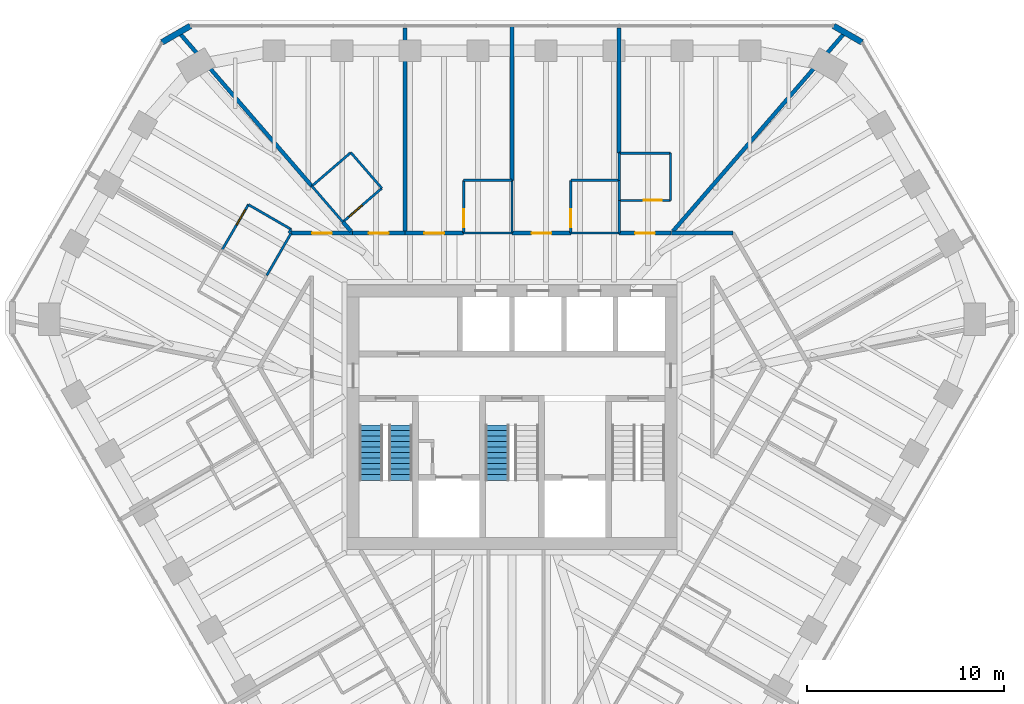
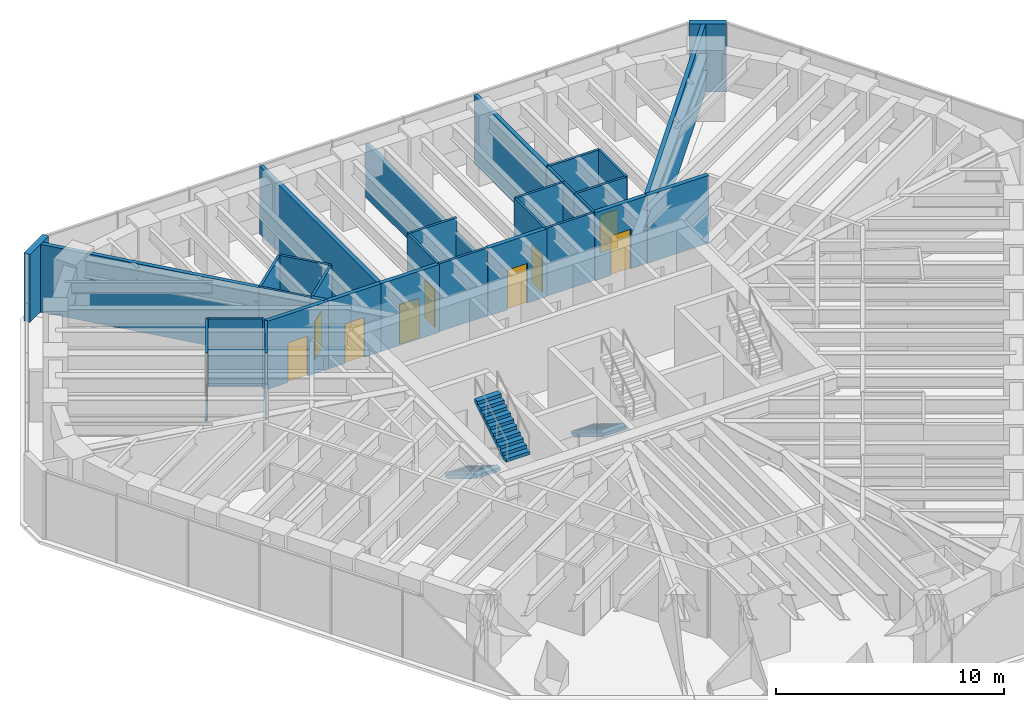
# One storey, part 12 of 14: 35 walls, 10 doors, 3 stair flights, 10 openings, 2 elements without a shape of their own.
"""IFC4 building model written with IfcOpenShell, lengths in metres."""

from ifc_helpers import new_model, si_unit, direction, frame, frame_2d, origin, place, context, subcontext, project, spatial, polyline, rectangle, outline, extrude, material, layer, layer_set, type_object, element, fill, aggregate, save


model = new_model("IFC4")

# Units and contexts
model_context = context("Model", 3, precision=1e-05, world=origin(), true_north=direction((0.0, 1.0)))
body_context = subcontext(model_context, "Body", "Model", "MODEL_VIEW")
ifc_project = project(units=[si_unit("LENGTHUNIT", "METRE"), si_unit("AREAUNIT", "SQUARE_METRE"), si_unit("VOLUMEUNIT", "CUBIC_METRE"), si_unit("PLANEANGLEUNIT", "RADIAN"), si_unit("MASSUNIT", "GRAM", prefix="KILO")], contexts=[model_context])

# Site, building, storey
site_placement = place(None, origin())
site = spatial("IfcSite", under=ifc_project, at=site_placement, CompositionType="ELEMENT")
building_placement = place(site_placement, origin())
building = spatial("IfcBuilding", under=site, at=building_placement, Name="Sandreach Pilgrim Tower", CompositionType="ELEMENT")
storey_placement = place(building_placement, frame((0.0, 0.0, 295.0)))
storey = spatial("IfcBuildingStorey", under=building, at=storey_placement, Name="L74", CompositionType="ELEMENT", Elevation=295.0)

# Wall, opening, door
ifc_material_1 = material(Name="Moisture-resistant gypsum board on steel studs", Category="steel")
ifc_layer_1 = layer(ifc_material_1, 0.1201171875)
ifc_layer_set_1 = layer_set([ifc_layer_1], Name="Bathroom partition 120")
wall_type_1 = type_object("IfcWallType", Name="Bathroom partition 120", PredefinedType="PARTITIONING", material=ifc_layer_set_1)
wall_1_placement = place(storey_placement, frame((-13.360107421875, 10.77001953125, 0.0), z_axis=(0.0, 0.0, 1.0), x_axis=(-0.502173326652, -0.864766991738, 0.0)))
wall_1 = element("IfcWall", 1, at=wall_1_placement, inside=storey, type_object=wall_type_1, Name="Bathroom partition L74-019", PredefinedType="PARTITIONING", context=body_context, shape_type="SweptSolid", body=[
    extrude(rectangle(XDim=2.648193359375, YDim=0.1201171875, at=frame_2d((1.32421875, 0.0))), origin(), (0.0, 0.0, 1.0), 3.639892578125),
])
opening_1_placement = place(wall_1_placement, frame((0.300048828125, 0.0, 0.0)))
opening_1 = element("IfcOpeningElement", 2, at=opening_1_placement, cuts=wall_1, Name="Opening D09-17B", PredefinedType="OPENING", context=body_context, shape_type="SweptSolid", body=[
    extrude(rectangle(XDim=0.89990234375, YDim=2.030029296875, at=frame_2d((0.449951171875, 1.01513671875))), frame((0.0, 0.06005859375, 0.0), z_axis=(0.0, -1.0, 0.0), x_axis=(1.0, 0.0, 0.0)), (0.0, 0.0, 1.0), 0.1201171875),
])
ifc_material_2 = material(Name="Timber door, steel frame", Category="steel")
door_type_1 = type_object("IfcDoorType", Name="Bathroom door", OperationType="SINGLE_SWING_LEFT", PredefinedType="DOOR", material=ifc_material_2)
door_1_placement = place(opening_1_placement, origin())
door_1 = element("IfcDoor", 3, at=door_1_placement, inside=storey, type_object=door_type_1, Name="Door 7417B", OperationType="SINGLE_SWING_LEFT", OverallHeight=2.030029296875, OverallWidth=0.89990234375, PredefinedType="DOOR", context=body_context, shape_type="SweptSolid", body=[
    extrude(rectangle(XDim=0.89990234375, YDim=2.030029296875, at=frame_2d((0.449951171875, 1.01513671875))), frame((0.0, 0.02490234375, 0.0), z_axis=(0.0, -1.0, 0.0), x_axis=(1.0, 0.0, 0.0)), (0.0, 0.0, 1.0), 0.050048828125),
])
fill(opening_1, door_1)

# Walls
wall_2_placement = place(storey_placement, frame((-12.429931640625, 7.179931640625, 0.0), z_axis=(0.0, 0.0, 1.0), x_axis=(0.499577688184, 0.866269088372, 0.0)))
element("IfcWall", 4, at=wall_2_placement, inside=storey, type_object=wall_type_1, Name="Bathroom partition L74-024", PredefinedType="PARTITIONING", context=body_context, shape_type="SweptSolid", body=[
    extrude(rectangle(XDim=2.482177734375, YDim=0.1201171875, at=frame_2d((1.2412109375, 0.0))), origin(), (0.0, 0.0, 1.0), 3.639892578125),
])
wall_3_placement = place(storey_placement, frame((-11.31005859375, 9.330078125, 0.0), z_axis=(0.0, 0.0, 1.0), x_axis=(0.501518373175, 0.865146994081, 0.0)))
element("IfcWall", 5, at=wall_3_placement, inside=storey, type_object=wall_type_1, Name="Bathroom partition L74-026", PredefinedType="PARTITIONING", context=body_context, shape_type="SweptSolid", body=[
    extrude(rectangle(XDim=0.219482421875, YDim=0.1201171875, at=frame_2d((0.10986328125, 0.0))), origin(), (0.0, 0.0, 1.0), 3.639892578125),
])
wall_4_placement = place(storey_placement, frame((-11.199951171875, 9.52001953125, 0.0), z_axis=(0.0, 0.0, 1.0), x_axis=(-0.865533423938, 0.500851167559, 0.0)))
element("IfcWall", 6, at=wall_4_placement, inside=storey, type_object=wall_type_1, Name="Bathroom partition L74-027", PredefinedType="PARTITIONING", context=body_context, shape_type="SweptSolid", body=[
    extrude(rectangle(XDim=2.495849609375, YDim=0.1201171875, at=frame_2d((1.248046875, 0.0))), origin(), (0.0, 0.0, 1.0), 3.639892578125),
])
wall_5_placement = place(storey_placement, frame((-10.142822265625, 11.70751953125, 0.0), z_axis=(0.0, 0.0, 1.0), x_axis=(0.65433095071, -0.756208309226, 0.0)))
element("IfcWall", 7, at=wall_5_placement, inside=storey, type_object=wall_type_1, Name="Bathroom partition L74-030", PredefinedType="PARTITIONING", context=body_context, shape_type="SweptSolid", body=[
    extrude(rectangle(XDim=2.403564453125, YDim=0.1201171875, at=frame_2d((1.20166015625, 0.0))), origin(), (0.0, 0.0, 1.0), 3.639892578125),
])

# Wall, opening, door
wall_6_placement = place(storey_placement, frame((-8.570068359375, 9.889892578125, 0.0), z_axis=(0.0, 0.0, 1.0), x_axis=(0.755185511235, 0.655511131576, 0.0)))
wall_6 = element("IfcWall", 8, at=wall_6_placement, inside=storey, type_object=wall_type_1, Name="Bathroom partition L74-035", PredefinedType="PARTITIONING", context=body_context, shape_type="SweptSolid", body=[
    extrude(rectangle(XDim=2.608642578125, YDim=0.1201171875, at=frame_2d((1.30419921875, 0.0))), origin(), (0.0, 0.0, 1.0), 3.639892578125),
])
opening_2_placement = place(wall_6_placement, frame((0.39990234375, 0.0, 0.0)))
opening_2 = element("IfcOpeningElement", 9, at=opening_2_placement, cuts=wall_6, Name="Opening D09-01B", PredefinedType="OPENING", context=body_context, shape_type="SweptSolid", body=[
    extrude(rectangle(XDim=0.89990234375, YDim=2.030029296875, at=frame_2d((0.449951171875, 1.01513671875))), frame((0.0, 0.06005859375, 0.0), z_axis=(0.0, -1.0, 0.0), x_axis=(1.0, 0.0, 0.0)), (0.0, 0.0, 1.0), 0.1201171875),
])
door_2_placement = place(opening_2_placement, origin())
door_2 = element("IfcDoor", 10, at=door_2_placement, inside=storey, type_object=door_type_1, Name="Door 7401B", OperationType="SINGLE_SWING_LEFT", OverallHeight=2.030029296875, OverallWidth=0.89990234375, PredefinedType="DOOR", context=body_context, shape_type="SweptSolid", body=[
    extrude(rectangle(XDim=0.89990234375, YDim=2.030029296875, at=frame_2d((0.449951171875, 1.01513671875))), frame((0.0, 0.02490234375, 0.0), z_axis=(0.0, -1.0, 0.0), x_axis=(1.0, 0.0, 0.0)), (0.0, 0.0, 1.0), 0.050048828125),
])
fill(opening_2, door_2)

# Walls
wall_7_placement = place(storey_placement, frame((-8.169921875, 13.409912109375, 0.0), z_axis=(0.0, 0.0, 1.0), x_axis=(-0.757086659925, -0.653314464377, 0.0)))
element("IfcWall", 11, at=wall_7_placement, inside=storey, type_object=wall_type_1, Name="Bathroom partition L74-037", PredefinedType="PARTITIONING", context=body_context, shape_type="SweptSolid", body=[
    extrude(rectangle(XDim=2.60205078125, YDim=0.1201171875, at=frame_2d((1.301025390625, 0.0))), origin(), (0.0, 0.0, 1.0), 3.639892578125),
])
wall_8_placement = place(storey_placement, frame((-6.60009765625, 11.60009765625, 0.0), z_axis=(0.0, 0.0, 1.0), x_axis=(-0.655244729861, 0.755416669123, 0.0)))
element("IfcWall", 12, at=wall_8_placement, inside=storey, type_object=wall_type_1, Name="Bathroom partition L74-040", PredefinedType="PARTITIONING", context=body_context, shape_type="SweptSolid", body=[
    extrude(rectangle(XDim=2.395751953125, YDim=0.1201171875, at=frame_2d((1.19775390625, 0.0))), origin(), (0.0, 0.0, 1.0), 3.639892578125),
])

# Wall, opening, door
wall_9_placement = place(storey_placement, frame((-2.449951171875, 12.0, 0.0), z_axis=(0.0, 0.0, 1.0), x_axis=(0.0, -1.0, 0.0)))
wall_9 = element("IfcWall", 13, at=wall_9_placement, inside=storey, type_object=wall_type_1, Name="Bathroom partition L74-059", PredefinedType="PARTITIONING", context=body_context, shape_type="SweptSolid", body=[
    extrude(rectangle(XDim=2.669921875, YDim=0.1201171875, at=frame_2d((1.3349609375, 0.0))), origin(), (0.0, 0.0, 1.0), 3.639892578125),
])
opening_3_placement = place(wall_9_placement, frame((1.469970703125, 0.0, 0.0)))
opening_3 = element("IfcOpeningElement", 14, at=opening_3_placement, cuts=wall_9, Name="Opening D09-02B", PredefinedType="OPENING", context=body_context, shape_type="SweptSolid", body=[
    extrude(rectangle(XDim=0.89990234375, YDim=2.030029296875, at=frame_2d((0.449951171875, 1.01513671875))), frame((0.0, 0.06005859375, 0.0), z_axis=(0.0, -1.0, 0.0), x_axis=(1.0, 0.0, 0.0)), (0.0, 0.0, 1.0), 0.1201171875),
])
door_3_placement = place(opening_3_placement, origin())
door_3 = element("IfcDoor", 15, at=door_3_placement, inside=storey, type_object=door_type_1, Name="Door 7402B", OperationType="SINGLE_SWING_RIGHT", OverallHeight=2.030029296875, OverallWidth=0.89990234375, PredefinedType="DOOR", context=body_context, shape_type="SweptSolid", body=[
    extrude(rectangle(XDim=0.89990234375, YDim=2.030029296875, at=frame_2d((0.449951171875, 1.01513671875))), frame((0.0, 0.02490234375, 0.0), z_axis=(0.0, -1.0, 0.0), x_axis=(1.0, 0.0, 0.0)), (0.0, 0.0, 1.0), 0.050048828125),
])
fill(opening_3, door_3)

# Walls
for number, where, z_axis, x_axis, name in (
    (16, (0.0, 9.330078125, 0.0), (0.0, 0.0, 1.0), (-1.0, 0.0, 0.0), "Bathroom partition L74-064"),
    (17, (0.0, 12.0, 0.0), (0.0, 0.0, 1.0), (-1.0, 0.0, 0.0), "Bathroom partition L74-065"),
):
    element("IfcWall", number, at=place(storey_placement, frame(where, z_axis=z_axis, x_axis=x_axis)), inside=storey, type_object=wall_type_1, Name=name, PredefinedType="PARTITIONING", context=body_context, shape_type="SweptSolid", body=[
        extrude(rectangle(XDim=2.449951171875, YDim=0.1201171875, at=frame_2d((1.22509765625, 0.0))), origin(), (0.0, 0.0, 1.0), 3.639892578125),
    ])
wall_10_placement = place(storey_placement, frame((0.0, 12.0, 0.0), z_axis=(0.0, 0.0, 1.0), x_axis=(0.0, -1.0, 0.0)))
element("IfcWall", 18, at=wall_10_placement, inside=storey, type_object=wall_type_1, Name="Bathroom partition L74-066", PredefinedType="PARTITIONING", context=body_context, shape_type="SweptSolid", body=[
    extrude(rectangle(XDim=2.669921875, YDim=0.1201171875, at=frame_2d((1.3349609375, 0.0))), origin(), (0.0, 0.0, 1.0), 2.860107421875),
])

# Wall, opening, door
wall_11_placement = place(storey_placement, frame((2.97998046875, 12.0, 0.0), z_axis=(0.0, 0.0, 1.0), x_axis=(0.0, -1.0, 0.0)))
wall_11 = element("IfcWall", 19, at=wall_11_placement, inside=storey, type_object=wall_type_1, Name="Bathroom partition L74-072", PredefinedType="PARTITIONING", context=body_context, shape_type="SweptSolid", body=[
    extrude(rectangle(XDim=2.669921875, YDim=0.1201171875, at=frame_2d((1.3349609375, 0.0))), origin(), (0.0, 0.0, 1.0), 3.639892578125),
])
opening_4_placement = place(wall_11_placement, frame((1.469970703125, 0.0, 0.0)))
opening_4 = element("IfcOpeningElement", 20, at=opening_4_placement, cuts=wall_11, Name="Opening D09-03B", PredefinedType="OPENING", context=body_context, shape_type="SweptSolid", body=[
    extrude(rectangle(XDim=0.89990234375, YDim=2.030029296875, at=frame_2d((0.449951171875, 1.01513671875))), frame((0.0, 0.06005859375, 0.0), z_axis=(0.0, -1.0, 0.0), x_axis=(1.0, 0.0, 0.0)), (0.0, 0.0, 1.0), 0.1201171875),
])
door_4_placement = place(opening_4_placement, origin())
door_4 = element("IfcDoor", 21, at=door_4_placement, inside=storey, type_object=door_type_1, Name="Door 7403B", OperationType="SINGLE_SWING_RIGHT", OverallHeight=2.030029296875, OverallWidth=0.89990234375, PredefinedType="DOOR", context=body_context, shape_type="SweptSolid", body=[
    extrude(rectangle(XDim=0.89990234375, YDim=2.030029296875, at=frame_2d((0.449951171875, 1.01513671875))), frame((0.0, 0.02490234375, 0.0), z_axis=(0.0, -1.0, 0.0), x_axis=(1.0, 0.0, 0.0)), (0.0, 0.0, 1.0), 0.050048828125),
])
fill(opening_4, door_4)

# Walls
wall_12_placement = place(storey_placement, frame((5.429931640625, 9.330078125, 0.0), z_axis=(0.0, 0.0, 1.0), x_axis=(-1.0, 0.0, 0.0)))
element("IfcWall", 22, at=wall_12_placement, inside=storey, type_object=wall_type_1, Name="Bathroom partition L74-081", PredefinedType="PARTITIONING", context=body_context, shape_type="SweptSolid", body=[
    extrude(rectangle(XDim=2.449951171875, YDim=0.1201171875, at=frame_2d((1.22509765625, 0.0))), origin(), (0.0, 0.0, 1.0), 3.639892578125),
])
wall_13_placement = place(storey_placement, frame((5.429931640625, 10.97998046875, 0.0), z_axis=(0.0, 0.0, 1.0), x_axis=(0.0, -1.0, 0.0)))
element("IfcWall", 23, at=wall_13_placement, inside=storey, type_object=wall_type_1, Name="Bathroom partition L74-082", PredefinedType="PARTITIONING", context=body_context, shape_type="SweptSolid", body=[
    extrude(rectangle(XDim=1.64990234375, YDim=0.1201171875, at=frame_2d((0.824951171875, 0.0))), origin(), (0.0, 0.0, 1.0), 3.639892578125),
])

# Wall, opening, door
wall_14_placement = place(storey_placement, frame((5.429931640625, 10.97998046875, 0.0), z_axis=(0.0, 0.0, 1.0), x_axis=(1.0, 0.0, 0.0)))
wall_14 = element("IfcWall", 24, at=wall_14_placement, inside=storey, type_object=wall_type_1, Name="Bathroom partition L74-083", PredefinedType="PARTITIONING", context=body_context, shape_type="SweptSolid", body=[
    extrude(rectangle(XDim=2.60009765625, YDim=0.1201171875, at=frame_2d((1.300048828125, 0.0))), origin(), (0.0, 0.0, 1.0), 3.639892578125),
])
opening_5_placement = place(wall_14_placement, frame((1.25, 0.0, 0.0)))
opening_5 = element("IfcOpeningElement", 25, at=opening_5_placement, cuts=wall_14, Name="Opening D09-04B", PredefinedType="OPENING", context=body_context, shape_type="SweptSolid", body=[
    extrude(rectangle(XDim=0.89990234375, YDim=2.030029296875, at=frame_2d((0.449951171875, 1.01513671875))), frame((0.0, 0.06005859375, 0.0), z_axis=(0.0, -1.0, 0.0), x_axis=(1.0, 0.0, 0.0)), (0.0, 0.0, 1.0), 0.1201171875),
])
door_5_placement = place(opening_5_placement, origin())
door_5 = element("IfcDoor", 26, at=door_5_placement, inside=storey, type_object=door_type_1, Name="Door 7404B", OperationType="SINGLE_SWING_RIGHT", OverallHeight=2.030029296875, OverallWidth=0.89990234375, PredefinedType="DOOR", context=body_context, shape_type="SweptSolid", body=[
    extrude(rectangle(XDim=0.89990234375, YDim=2.030029296875, at=frame_2d((0.449951171875, 1.01513671875))), frame((0.0, 0.02490234375, 0.0), z_axis=(0.0, -1.0, 0.0), x_axis=(1.0, 0.0, 0.0)), (0.0, 0.0, 1.0), 0.050048828125),
])
fill(opening_5, door_5)

# Walls
wall_15_placement = place(storey_placement, frame((5.429931640625, 12.0, 0.0), z_axis=(0.0, 0.0, 1.0), x_axis=(-1.0, 0.0, 0.0)))
element("IfcWall", 27, at=wall_15_placement, inside=storey, type_object=wall_type_1, Name="Bathroom partition L74-084", PredefinedType="PARTITIONING", context=body_context, shape_type="SweptSolid", body=[
    extrude(rectangle(XDim=2.449951171875, YDim=0.1201171875, at=frame_2d((1.22509765625, 0.0))), origin(), (0.0, 0.0, 1.0), 3.639892578125),
])
wall_16_placement = place(storey_placement, frame((5.429931640625, 12.0, 0.0), z_axis=(0.0, 0.0, 1.0), x_axis=(0.0, -1.0, 0.0)))
element("IfcWall", 28, at=wall_16_placement, inside=storey, type_object=wall_type_1, Name="Bathroom partition L74-085", PredefinedType="PARTITIONING", context=body_context, shape_type="SweptSolid", body=[
    extrude(rectangle(XDim=1.02001953125, YDim=0.1201171875, at=frame_2d((0.510009765625, 0.0))), origin(), (0.0, 0.0, 1.0), 3.639892578125),
])
wall_17_placement = place(storey_placement, frame((5.429931640625, 13.3798828125, 0.0), z_axis=(0.0, 0.0, 1.0), x_axis=(0.0, -1.0, 0.0)))
element("IfcWall", 29, at=wall_17_placement, inside=storey, type_object=wall_type_1, Name="Bathroom partition L74-086", PredefinedType="PARTITIONING", context=body_context, shape_type="SweptSolid", body=[
    extrude(rectangle(XDim=1.3798828125, YDim=0.1201171875, at=frame_2d((0.68994140625, 0.0))), origin(), (0.0, 0.0, 1.0), 3.639892578125),
])
wall_18_placement = place(storey_placement, frame((8.030029296875, 10.97998046875, 0.0), z_axis=(0.0, 0.0, 1.0), x_axis=(0.0, 1.0, 0.0)))
element("IfcWall", 30, at=wall_18_placement, inside=storey, type_object=wall_type_1, Name="Bathroom partition L74-095", PredefinedType="PARTITIONING", context=body_context, shape_type="SweptSolid", body=[
    extrude(rectangle(XDim=2.39990234375, YDim=0.1201171875, at=frame_2d((1.199951171875, 0.0))), origin(), (0.0, 0.0, 1.0), 3.639892578125),
])
wall_19_placement = place(storey_placement, frame((8.030029296875, 13.3798828125, 0.0), z_axis=(0.0, 0.0, 1.0), x_axis=(-1.0, 0.0, 0.0)))
element("IfcWall", 31, at=wall_19_placement, inside=storey, type_object=wall_type_1, Name="Bathroom partition L74-096", PredefinedType="PARTITIONING", context=body_context, shape_type="SweptSolid", body=[
    extrude(rectangle(XDim=2.60009765625, YDim=0.1201171875, at=frame_2d((1.300048828125, 0.0))), origin(), (0.0, 0.0, 1.0), 3.639892578125),
])

# Wall, opening, door
ifc_material_3 = material(Name="Gypsum board on steel studs, two layers each side", Category="steel")
ifc_layer_2 = layer(ifc_material_3, 0.199951171875)
ifc_layer_set_2 = layer_set([ifc_layer_2], Name="Corridor wall 200")
wall_type_2 = type_object("IfcWallType", Name="Corridor wall 200", PredefinedType="PARTITIONING", material=ifc_layer_set_2)
wall_20_placement = place(storey_placement, frame((-8.080078125, 9.330078125, 0.0), z_axis=(0.0, 0.0, 1.0), x_axis=(-1.0, 0.0, 0.0)))
wall_20 = element("IfcWall", 32, at=wall_20_placement, inside=storey, type_object=wall_type_2, Name="Corridor wall L74-038", PredefinedType="PARTITIONING", context=body_context, shape_type="SweptSolid", body=[
    extrude(rectangle(XDim=3.10986328125, YDim=0.199951171875, at=frame_2d((1.554931640625, 0.0))), origin(), (0.0, 0.0, 1.0), 3.639892578125),
])
opening_6_placement = place(wall_20_placement, frame((1.054931640625, 0.0, 0.0)))
opening_6 = element("IfcOpeningElement", 33, at=opening_6_placement, cuts=wall_20, Name="Opening D10-17", PredefinedType="OPENING", context=body_context, shape_type="SweptSolid", body=[
    extrude(rectangle(XDim=1.0, YDim=2.1298828125, at=frame_2d((0.5, 1.06494140625))), frame((0.0, 0.10009765625, 0.0), z_axis=(0.0, -1.0, 0.0), x_axis=(1.0, 0.0, 0.0)), (0.0, 0.0, 1.0), 0.199951171875),
])
ifc_material_4 = material(Name="Steel door and frame", Category="steel")
door_type_2 = type_object("IfcDoorType", Name="Guest room entry door", OperationType="SINGLE_SWING_LEFT", PredefinedType="DOOR", material=ifc_material_4)
door_6_placement = place(opening_6_placement, origin())
door_6 = element("IfcDoor", 34, at=door_6_placement, inside=storey, type_object=door_type_2, Name="Door 7417", OperationType="SINGLE_SWING_LEFT", OverallHeight=2.1298828125, OverallWidth=1.0, PredefinedType="DOOR", context=body_context, shape_type="SweptSolid", body=[
    extrude(rectangle(XDim=1.0, YDim=2.1298828125, at=frame_2d((0.5, 1.06494140625))), frame((0.0, 0.02490234375, 0.0), z_axis=(0.0, -1.0, 0.0), x_axis=(1.0, 0.0, 0.0)), (0.0, 0.0, 1.0), 0.050048828125),
])
fill(opening_6, door_6)

wall_21_placement = place(storey_placement, frame((-5.429931640625, 9.330078125, 0.0), z_axis=(0.0, 0.0, 1.0), x_axis=(-1.0, 0.0, 0.0)))
wall_21 = element("IfcWall", 35, at=wall_21_placement, inside=storey, type_object=wall_type_2, Name="Corridor wall L74-044", PredefinedType="PARTITIONING", context=body_context, shape_type="SweptSolid", body=[
    extrude(rectangle(XDim=2.650146484375, YDim=0.199951171875, at=frame_2d((1.3251953125, 0.0))), origin(), (0.0, 0.0, 1.0), 3.639892578125),
])
opening_7_placement = place(wall_21_placement, frame((0.824951171875, 0.0, 0.0)))
opening_7 = element("IfcOpeningElement", 36, at=opening_7_placement, cuts=wall_21, Name="Opening D10-01", PredefinedType="OPENING", context=body_context, shape_type="SweptSolid", body=[
    extrude(rectangle(XDim=1.0, YDim=2.1298828125, at=frame_2d((0.5, 1.06494140625))), frame((0.0, 0.10009765625, 0.0), z_axis=(0.0, -1.0, 0.0), x_axis=(1.0, 0.0, 0.0)), (0.0, 0.0, 1.0), 0.199951171875),
])
door_7_placement = place(opening_7_placement, origin())
door_7 = element("IfcDoor", 37, at=door_7_placement, inside=storey, type_object=door_type_2, Name="Door 7401", OperationType="SINGLE_SWING_LEFT", OverallHeight=2.1298828125, OverallWidth=1.0, PredefinedType="DOOR", context=body_context, shape_type="SweptSolid", body=[
    extrude(rectangle(XDim=1.0, YDim=2.1298828125, at=frame_2d((0.5, 1.06494140625))), frame((0.0, 0.02490234375, 0.0), z_axis=(0.0, -1.0, 0.0), x_axis=(1.0, 0.0, 0.0)), (0.0, 0.0, 1.0), 0.050048828125),
])
fill(opening_7, door_7)

wall_22_placement = place(storey_placement, frame((-5.429931640625, 9.330078125, 0.0), z_axis=(0.0, 0.0, 1.0), x_axis=(1.0, 0.0, 0.0)))
wall_22 = element("IfcWall", 38, at=wall_22_placement, inside=storey, type_object=wall_type_2, Name="Corridor wall L74-045", PredefinedType="PARTITIONING", context=body_context, shape_type="SweptSolid", body=[
    extrude(rectangle(XDim=2.97998046875, YDim=0.199951171875, at=frame_2d((1.489990234375, 0.0))), origin(), (0.0, 0.0, 1.0), 3.639892578125),
])
opening_8_placement = place(wall_22_placement, frame((0.989990234375, 0.0, 0.0)))
opening_8 = element("IfcOpeningElement", 39, at=opening_8_placement, cuts=wall_22, Name="Opening D10-02", PredefinedType="OPENING", context=body_context, shape_type="SweptSolid", body=[
    extrude(rectangle(XDim=1.0, YDim=2.1298828125, at=frame_2d((0.5, 1.06494140625))), frame((0.0, 0.10009765625, 0.0), z_axis=(0.0, -1.0, 0.0), x_axis=(1.0, 0.0, 0.0)), (0.0, 0.0, 1.0), 0.199951171875),
])
door_8_placement = place(opening_8_placement, origin())
door_8 = element("IfcDoor", 40, at=door_8_placement, inside=storey, type_object=door_type_2, Name="Door 7402", OperationType="SINGLE_SWING_LEFT", OverallHeight=2.1298828125, OverallWidth=1.0, PredefinedType="DOOR", context=body_context, shape_type="SweptSolid", body=[
    extrude(rectangle(XDim=1.0, YDim=2.1298828125, at=frame_2d((0.5, 1.06494140625))), frame((0.0, 0.02490234375, 0.0), z_axis=(0.0, -1.0, 0.0), x_axis=(1.0, 0.0, 0.0)), (0.0, 0.0, 1.0), 0.050048828125),
])
fill(opening_8, door_8)

wall_23_placement = place(storey_placement, frame((2.97998046875, 9.330078125, 0.0), z_axis=(0.0, 0.0, 1.0), x_axis=(-1.0, 0.0, 0.0)))
wall_23 = element("IfcWall", 41, at=wall_23_placement, inside=storey, type_object=wall_type_2, Name="Corridor wall L74-071", PredefinedType="PARTITIONING", context=body_context, shape_type="SweptSolid", body=[
    extrude(rectangle(XDim=2.97998046875, YDim=0.199951171875, at=frame_2d((1.489990234375, 0.0))), origin(), (0.0, 0.0, 1.0), 3.639892578125),
])
opening_9_placement = place(wall_23_placement, frame((0.989990234375, 0.0, 0.0)))
opening_9 = element("IfcOpeningElement", 42, at=opening_9_placement, cuts=wall_23, Name="Opening D10-03", PredefinedType="OPENING", context=body_context, shape_type="SweptSolid", body=[
    extrude(rectangle(XDim=1.0, YDim=2.1298828125, at=frame_2d((0.5, 1.06494140625))), frame((0.0, 0.10009765625, 0.0), z_axis=(0.0, -1.0, 0.0), x_axis=(1.0, 0.0, 0.0)), (0.0, 0.0, 1.0), 0.199951171875),
])
door_9_placement = place(opening_9_placement, origin())
door_9 = element("IfcDoor", 43, at=door_9_placement, inside=storey, type_object=door_type_2, Name="Door 7403", OperationType="SINGLE_SWING_LEFT", OverallHeight=2.1298828125, OverallWidth=1.0, PredefinedType="DOOR", context=body_context, shape_type="SweptSolid", body=[
    extrude(rectangle(XDim=1.0, YDim=2.1298828125, at=frame_2d((0.5, 1.06494140625))), frame((0.0, 0.02490234375, 0.0), z_axis=(0.0, -1.0, 0.0), x_axis=(1.0, 0.0, 0.0)), (0.0, 0.0, 1.0), 0.050048828125),
])
fill(opening_9, door_9)

wall_24_placement = place(storey_placement, frame((8.050048828125, 9.330078125, 0.0), z_axis=(0.0, 0.0, 1.0), x_axis=(-1.0, 0.0, 0.0)))
wall_24 = element("IfcWall", 44, at=wall_24_placement, inside=storey, type_object=wall_type_2, Name="Corridor wall L74-097", PredefinedType="PARTITIONING", context=body_context, shape_type="SweptSolid", body=[
    extrude(rectangle(XDim=2.6201171875, YDim=0.199951171875, at=frame_2d((1.31005859375, 0.0))), origin(), (0.0, 0.0, 1.0), 3.639892578125),
])
opening_10_placement = place(wall_24_placement, frame((0.81005859375, 0.0, 0.0)))
opening_10 = element("IfcOpeningElement", 45, at=opening_10_placement, cuts=wall_24, Name="Opening D10-04", PredefinedType="OPENING", context=body_context, shape_type="SweptSolid", body=[
    extrude(rectangle(XDim=1.0, YDim=2.1298828125, at=frame_2d((0.5, 1.06494140625))), frame((0.0, 0.10009765625, 0.0), z_axis=(0.0, -1.0, 0.0), x_axis=(1.0, 0.0, 0.0)), (0.0, 0.0, 1.0), 0.199951171875),
])
door_10_placement = place(opening_10_placement, origin())
door_10 = element("IfcDoor", 46, at=door_10_placement, inside=storey, type_object=door_type_2, Name="Door 7404", OperationType="SINGLE_SWING_LEFT", OverallHeight=2.1298828125, OverallWidth=1.0, PredefinedType="DOOR", context=body_context, shape_type="SweptSolid", body=[
    extrude(rectangle(XDim=1.0, YDim=2.1298828125, at=frame_2d((0.5, 1.06494140625))), frame((0.0, 0.02490234375, 0.0), z_axis=(0.0, -1.0, 0.0), x_axis=(1.0, 0.0, 0.0)), (0.0, 0.0, 1.0), 0.050048828125),
])
fill(opening_10, door_10)

# Walls
wall_25_placement = place(storey_placement, frame((11.18994140625, 9.330078125, 0.0), z_axis=(0.0, 0.0, 1.0), x_axis=(-1.0, 0.0, 0.0)))
element("IfcWall", 47, at=wall_25_placement, inside=storey, type_object=wall_type_2, Name="Corridor wall L74-105", PredefinedType="PARTITIONING", context=body_context, shape_type="SweptSolid", body=[
    extrude(rectangle(XDim=3.10986328125, YDim=0.199951171875, at=frame_2d((1.554931640625, 0.0))), origin(), (0.0, 0.0, 1.0), 3.639892578125),
])
ifc_material_5 = material(Name="Double steel stud acoustic wall, gypsum board", Category="steel")
ifc_layer_3 = layer(ifc_material_5, 0.199951171875)
ifc_layer_set_3 = layer_set([ifc_layer_3], Name="Party wall 200")
wall_type_3 = type_object("IfcWallType", Name="Party wall 200", PredefinedType="PARTITIONING", material=ifc_layer_set_3)
wall_26_placement = place(storey_placement, frame((-16.890380859375, 19.50732421875, 0.0), z_axis=(0.0, 0.0, 1.0), x_axis=(0.654250750888, -0.756277696989, 0.0)))
element("IfcWall", 48, at=wall_26_placement, inside=storey, type_object=wall_type_3, Name="Party wall L74-004", PredefinedType="PARTITIONING", context=body_context, shape_type="SweptSolid", body=[
    extrude(rectangle(XDim=10.3134765625, YDim=0.199951171875, at=frame_2d((5.15673828125, 0.0))), origin(), (0.0, 0.0, 1.0), 3.639892578125),
])
wall_27_placement = place(storey_placement, frame((-8.570068359375, 9.889892578125, 0.0), z_axis=(0.0, 0.0, 1.0), x_axis=(0.658587029901, -0.752504567459, 0.0)))
element("IfcWall", 49, at=wall_27_placement, inside=storey, type_object=wall_type_3, Name="Party wall L74-034", PredefinedType="PARTITIONING", context=body_context, shape_type="SweptSolid", body=[
    extrude(rectangle(XDim=0.629150390625, YDim=0.199951171875, at=frame_2d((0.314453125, 0.0))), origin(), (0.0, 0.0, 1.0), 3.639892578125),
])
wall_28_placement = place(storey_placement, frame((-5.429931640625, 19.7099609375, 0.0), z_axis=(0.0, 0.0, 1.0), x_axis=(0.0, -1.0, 0.0)))
element("IfcWall", 50, at=wall_28_placement, inside=storey, type_object=wall_type_3, Name="Party wall L74-046", PredefinedType="PARTITIONING", context=body_context, shape_type="SweptSolid", body=[
    extrude(rectangle(XDim=10.364990234375, YDim=0.199951171875, at=frame_2d((5.1826171875, 0.0))), origin(), (0.0, 0.0, 1.0), 3.639892578125),
])
wall_29_placement = place(storey_placement, frame((0.0, 19.800048828125, 0.0), z_axis=(0.0, 0.0, 1.0), x_axis=(0.0, -1.0, 0.0)))
element("IfcWall", 51, at=wall_29_placement, inside=storey, type_object=wall_type_3, Name="Party wall L74-067", PredefinedType="PARTITIONING", context=body_context, shape_type="SweptSolid", body=[
    extrude(rectangle(XDim=7.800048828125, YDim=0.199951171875, at=frame_2d((3.89990234375, 0.0))), origin(), (0.0, 0.0, 1.0), 2.860107421875),
])
wall_30_placement = place(storey_placement, frame((5.429931640625, 19.7099609375, 0.0), z_axis=(0.0, 0.0, 1.0), x_axis=(0.0, -1.0, 0.0)))
element("IfcWall", 52, at=wall_30_placement, inside=storey, type_object=wall_type_3, Name="Party wall L74-087", PredefinedType="PARTITIONING", context=body_context, shape_type="SweptSolid", body=[
    extrude(rectangle(XDim=6.330078125, YDim=0.199951171875, at=frame_2d((3.1650390625, 0.0))), origin(), (0.0, 0.0, 1.0), 3.639892578125),
])
wall_31_placement = place(storey_placement, frame((16.890380859375, 19.50732421875, 0.0), z_axis=(0.0, 0.0, 1.0), x_axis=(-0.654509091565, -0.756054131037, 0.0)))
element("IfcWall", 53, at=wall_31_placement, inside=storey, type_object=wall_type_3, Name="Party wall L74-118", PredefinedType="PARTITIONING", context=body_context, shape_type="SweptSolid", body=[
    extrude(rectangle(XDim=13.345947265625, YDim=0.199951171875, at=frame_2d((6.6728515625, 0.0))), origin(), (0.0, 0.0, 1.0), 3.639892578125),
])
ifc_material_6 = material(Name="Terracotta rainscreen on concrete", Category="masonry")
ifc_layer_4 = layer(ifc_material_6, 0.300048828125)
ifc_layer_set_4 = layer_set([ifc_layer_4], Name="Terracotta chamfer pier")
wall_type_4 = type_object("IfcWallType", Name="Terracotta chamfer pier", PredefinedType="SOLIDWALL", material=ifc_layer_set_4)
for number, where, z_axis, x_axis, name in (
    (54, (16.29833984375, 19.826416015625, 0.0), (0.0, 0.0, 1.0), (0.866026405774, -0.499998264499, 0.0), "Chamfer pier L74 N"),
    (55, (-17.736083984375, 18.996337890625, 0.0), (0.0, 0.0, 1.0), (0.866026405774, 0.499998264499, 0.0), "Chamfer pier L74 NW"),
):
    element("IfcWall", number, at=place(storey_placement, frame(where, z_axis=z_axis, x_axis=x_axis)), inside=storey, type_object=wall_type_4, Name=name, PredefinedType="SOLIDWALL", context=body_context, shape_type="SweptSolid", body=[
        extrude(rectangle(XDim=1.66015625, YDim=0.300048828125, at=frame_2d((0.830078125, 0.0))), origin(), (0.0, 0.0, 1.0), 3.639892578125),
    ])

# Stair, stair flights
ifc_material_7 = material(Name="Concrete 8000 psi", Category="concrete")
stair_type = type_object("IfcStairType", Name="Core exit stair", PredefinedType="HALF_TURN_STAIR", material=ifc_material_7)
stair_1_placement = place(storey_placement, origin())
stair_1 = element("IfcStair", 56, at=stair_1_placement, inside=storey, type_object=stair_type, Name="Exit stair ST1 L74", PredefinedType="HALF_TURN_STAIR")
ifc_material_8 = material(Name="Concrete 8000 psi", Category="concrete")
stair_flight_type = type_object("IfcStairFlightType", Name="Core stair flight 1200", PredefinedType="STRAIGHT", material=ifc_material_8)
stair_flight_1_placement = place(storey_placement, frame((-7.14990234375, -0.39990234375, 0.0), z_axis=(0.0, 0.0, 1.0), x_axis=(0.0, -1.0, 0.0)))
stair_flight_1 = element("IfcStairFlight", 57, at=stair_flight_1_placement, type_object=stair_flight_type, Name="ST1 flight 1", NumberOfRisers=11, NumberOfTreads=10, PredefinedType="STRAIGHT", RiserHeight=0.172727273, TreadLength=0.28, context=body_context, shape_type="SweptSolid", body=[
    extrude(outline(polyline([(0.0, 0.0), (0.0, 0.172607421875), (0.280029296875, 0.172607421875), (0.280029296875, 0.345458984375), (0.56005859375, 0.345458984375), (0.56005859375, 0.51806640625), (0.840087890625, 0.51806640625), (0.840087890625, 0.69091796875), (1.1201171875, 0.69091796875), (1.1201171875, 0.863525390625), (1.39990234375, 0.863525390625), (1.39990234375, 1.036376953125), (1.679931640625, 1.036376953125), (1.679931640625, 1.208984375), (1.9599609375, 1.208984375), (1.9599609375, 1.3818359375), (2.239990234375, 1.3818359375), (2.239990234375, 1.554443359375), (2.52001953125, 1.554443359375), (2.52001953125, 1.727294921875), (2.800048828125, 1.727294921875), (2.800048828125, 1.89990234375), (2.800048828125, 1.551025390625), (0.285400390625, 0.0), (0.0, 0.0)])), frame((0.0, 0.60009765625, 0.0), z_axis=(0.0, -1.0, 0.0), x_axis=(1.0, 0.0, 0.0)), (0.0, 0.0, 1.0), 1.199951171875),
])
stair_flight_2_placement = place(storey_placement, frame((-5.64990234375, -3.199951171875, 1.89990234375), z_axis=(0.0, 0.0, 1.0), x_axis=(0.0, 1.0, 0.0)))
stair_flight_2 = element("IfcStairFlight", 58, at=stair_flight_2_placement, type_object=stair_flight_type, Name="ST1 flight 2", NumberOfRisers=11, NumberOfTreads=10, PredefinedType="STRAIGHT", RiserHeight=0.172727273, TreadLength=0.28, context=body_context, shape_type="SweptSolid", body=[
    extrude(outline(polyline([(0.0, 0.0), (0.0, 0.172607421875), (0.280029296875, 0.172607421875), (0.280029296875, 0.345458984375), (0.56005859375, 0.345458984375), (0.56005859375, 0.51806640625), (0.840087890625, 0.51806640625), (0.840087890625, 0.69091796875), (1.1201171875, 0.69091796875), (1.1201171875, 0.863525390625), (1.39990234375, 0.863525390625), (1.39990234375, 1.036376953125), (1.679931640625, 1.036376953125), (1.679931640625, 1.208984375), (1.9599609375, 1.208984375), (1.9599609375, 1.3818359375), (2.239990234375, 1.3818359375), (2.239990234375, 1.554443359375), (2.52001953125, 1.554443359375), (2.52001953125, 1.727294921875), (2.800048828125, 1.727294921875), (2.800048828125, 1.89990234375), (2.800048828125, 1.551025390625), (0.285400390625, 0.0), (0.0, 0.0)])), frame((0.0, 0.60009765625, 0.0), z_axis=(0.0, -1.0, 0.0), x_axis=(1.0, 0.0, 0.0)), (0.0, 0.0, 1.0), 1.199951171875),
])
aggregate(stair_1, [stair_flight_1, stair_flight_2])

# Stair, stair flight
stair_2_placement = place(storey_placement, origin())
stair_2 = element("IfcStair", 59, at=stair_2_placement, inside=storey, type_object=stair_type, Name="Exit stair ST3 L74", PredefinedType="HALF_TURN_STAIR")
stair_flight_3_placement = place(storey_placement, frame((-0.75, -0.39990234375, 0.0), z_axis=(0.0, 0.0, 1.0), x_axis=(0.0, -1.0, 0.0)))
stair_flight_3 = element("IfcStairFlight", 60, at=stair_flight_3_placement, type_object=stair_flight_type, Name="ST3 flight 1", NumberOfRisers=11, NumberOfTreads=10, PredefinedType="STRAIGHT", RiserHeight=0.172727273, TreadLength=0.28, context=body_context, shape_type="SweptSolid", body=[
    extrude(outline(polyline([(0.0, 0.0), (0.0, 0.172607421875), (0.280029296875, 0.172607421875), (0.280029296875, 0.345458984375), (0.56005859375, 0.345458984375), (0.56005859375, 0.51806640625), (0.840087890625, 0.51806640625), (0.840087890625, 0.69091796875), (1.1201171875, 0.69091796875), (1.1201171875, 0.863525390625), (1.39990234375, 0.863525390625), (1.39990234375, 1.036376953125), (1.679931640625, 1.036376953125), (1.679931640625, 1.208984375), (1.9599609375, 1.208984375), (1.9599609375, 1.3818359375), (2.239990234375, 1.3818359375), (2.239990234375, 1.554443359375), (2.52001953125, 1.554443359375), (2.52001953125, 1.727294921875), (2.800048828125, 1.727294921875), (2.800048828125, 1.89990234375), (2.800048828125, 1.551025390625), (0.285400390625, 0.0), (0.0, 0.0)])), frame((0.0, 0.60009765625, 0.0), z_axis=(0.0, -1.0, 0.0), x_axis=(1.0, 0.0, 0.0)), (0.0, 0.0, 1.0), 1.199951171875),
])
aggregate(stair_2, [stair_flight_3])

save(model, "model.ifc")
